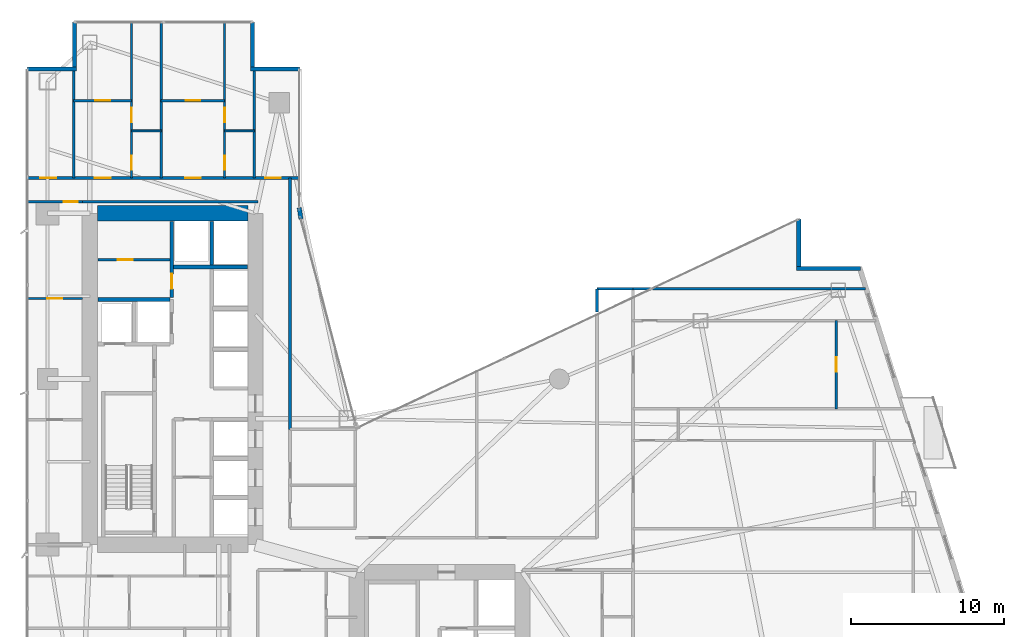
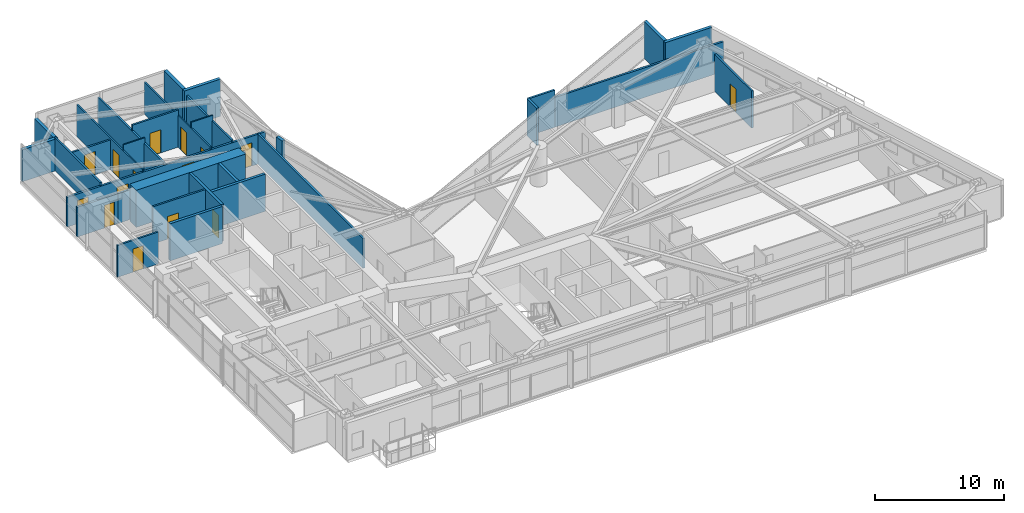
# One storey, part 24 of 28: 31 walls, 15 doors, 15 openings.
"""IFC4 building model written with IfcOpenShell, lengths in metres."""

from ifc_helpers import new_model, si_unit, direction, frame, frame_2d, origin, place, context, subcontext, project, spatial, rectangle, extrude, material, layer, layer_set, type_object, element, fill, save


model = new_model("IFC4")

# Units and contexts
model_context = context("Model", 3, precision=1e-05, world=origin(), true_north=direction((0.0, 1.0)))
body_context = subcontext(model_context, "Body", "Model", "MODEL_VIEW")
ifc_project = project(units=[si_unit("LENGTHUNIT", "METRE"), si_unit("AREAUNIT", "SQUARE_METRE"), si_unit("VOLUMEUNIT", "CUBIC_METRE"), si_unit("PLANEANGLEUNIT", "RADIAN"), si_unit("MASSUNIT", "GRAM", prefix="KILO")], contexts=[model_context])

# Site, building, storey
site_placement = place(None, origin())
site = spatial("IfcSite", under=ifc_project, at=site_placement, CompositionType="ELEMENT")
building_placement = place(site_placement, origin())
building = spatial("IfcBuilding", under=site, at=building_placement, Name="Calvorn Quay Hotel", CompositionType="ELEMENT")
storey_placement = place(building_placement, frame((0.0, 0.0, 42.199951171875)))
storey = spatial("IfcBuildingStorey", under=building, at=storey_placement, Name="L09", CompositionType="ELEMENT", Elevation=42.199951171875)

# Wall
ifc_material_1 = material(Name="Concrete C60", Category="concrete")
ifc_layer_1 = layer(ifc_material_1, 1.0)
ifc_layer_set_1 = layer_set([ifc_layer_1], Name="WL-CORE-1000")
wall_type_1 = type_object("IfcWallType", Name="WL-CORE-1000", PredefinedType="SHEAR", material=ifc_layer_set_1)
wall_1_placement = place(storey_placement, frame((4.699951171875, 38.39990234375, 0.0), z_axis=(0.0, 0.0, 1.0), x_axis=(1.0, 0.0, 0.0)))
element("IfcWall", 1, at=wall_1_placement, inside=storey, type_object=wall_type_1, Name="West Core Shear Wall N (L09)", PredefinedType="SHEAR", context=body_context, shape_type="SweptSolid", body=[
    extrude(rectangle(XDim=9.800048828125, YDim=1.0, at=frame_2d((4.89990234375, 0.0))), origin(), (0.0, 0.0, 1.0), 3.52001953125),
])

# Wall, opening, door
ifc_material_2 = material(Name="Acoustic Fireboard Steel-Stud Partition", Category="steel")
ifc_layer_2 = layer(ifc_material_2, 0.179931640625)
ifc_layer_set_2 = layer_set([ifc_layer_2], Name="WL-CORR-FIRE-180")
wall_type_2 = type_object("IfcWallType", Name="WL-CORR-FIRE-180", PredefinedType="PARTITIONING", material=ifc_layer_set_2)
wall_2_placement = place(storey_placement, frame((0.080078125, 39.14990234375, 0.0), z_axis=(0.0, 0.0, 1.0), x_axis=(1.0, 0.0, 0.0)))
wall_2 = element("IfcWall", 2, at=wall_2_placement, inside=storey, type_object=wall_type_2, Name="Partition Wall L09-WL-WBAY-N-DOOR", PredefinedType="PARTITIONING", context=body_context, shape_type="SweptSolid", body=[
    extrude(rectangle(XDim=3.64990234375, YDim=0.179931640625, at=frame_2d((1.824951171875, 0.0))), origin(), (0.0, 0.0, 1.0), 2.820068359375),
])
opening_1_placement = place(wall_2_placement, frame((2.429931640625, 0.0, 0.0)))
opening_1 = element("IfcOpeningElement", 3, at=opening_1_placement, cuts=wall_2, Name="Opening D-L09-WBN", PredefinedType="OPENING", context=body_context, shape_type="SweptSolid", body=[
    extrude(rectangle(XDim=0.89990234375, YDim=2.14990234375, at=frame_2d((0.449951171875, 1.074951171875))), frame((0.0, 0.099853515625, 0.0), z_axis=(0.0, -1.0, 0.0), x_axis=(1.0, 0.0, 0.0)), (0.0, 0.0, 1.0), 0.199951171875),
])
ifc_material_3 = material(Name="Moisture-Sealed Timber En-Suite Door", Category="wood")
door_type_1 = type_object("IfcDoorType", Name="DR-ENSUITE-900", OperationType="NOTDEFINED", PredefinedType="DOOR", material=ifc_material_3)
door_1_placement = place(opening_1_placement, origin())
door_1 = element("IfcDoor", 4, at=door_1_placement, inside=storey, type_object=door_type_1, Name="West North Bay Door (L09)", OperationType="SINGLE_SWING_LEFT", OverallHeight=2.14990234375, OverallWidth=0.89990234375, PredefinedType="DOOR", context=body_context, shape_type="SweptSolid", body=[
    extrude(rectangle(XDim=0.89990234375, YDim=2.14990234375, at=frame_2d((0.449951171875, 1.074951171875))), frame((0.0, 0.02490234375, 0.0), z_axis=(0.0, -1.0, 0.0), x_axis=(1.0, 0.0, 0.0)), (0.0, 0.0, 1.0), 0.050048828125),
])
fill(opening_1, door_1)

# Wall, openings, doors
wall_3_placement = place(storey_placement, frame((0.080078125, 40.699951171875, 0.0), z_axis=(0.0, 0.0, 1.0), x_axis=(1.0, 0.0, 0.0)))
wall_3 = element("IfcWall", 5, at=wall_3_placement, inside=storey, type_object=wall_type_2, Name="Partition Wall L09-WL-CORR-NW-N", PredefinedType="PARTITIONING", context=body_context, shape_type="SweptSolid", body=[
    extrude(rectangle(XDim=17.77001953125, YDim=0.179931640625, at=frame_2d((8.885009765625, 0.0))), origin(), (0.0, 0.0, 1.0), 2.820068359375),
])
opening_2_placement = place(wall_3_placement, frame((0.89990234375, 0.0, 0.0)))
opening_2 = element("IfcOpeningElement", 6, at=opening_2_placement, cuts=wall_3, Name="Opening D-L09-NWW", PredefinedType="OPENING", context=body_context, shape_type="SweptSolid", body=[
    extrude(rectangle(XDim=1.02001953125, YDim=2.199951171875, at=frame_2d((0.510009765625, 1.10009765625))), frame((0.0, 0.099853515625, 0.0), z_axis=(0.0, -1.0, 0.0), x_axis=(1.0, 0.0, 0.0)), (0.0, 0.0, 1.0), 0.199951171875),
])
opening_3_placement = place(wall_3_placement, frame((4.449951171875, 0.0, 0.0)))
opening_3 = element("IfcOpeningElement", 7, at=opening_3_placement, cuts=wall_3, Name="Opening D-L09-U04", PredefinedType="OPENING", context=body_context, shape_type="SweptSolid", body=[
    extrude(rectangle(XDim=1.02001953125, YDim=2.199951171875, at=frame_2d((0.510009765625, 1.10009765625))), frame((0.0, 0.099853515625, 0.0), z_axis=(0.0, -1.0, 0.0), x_axis=(1.0, 0.0, 0.0)), (0.0, 0.0, 1.0), 0.199951171875),
])
opening_4_placement = place(wall_3_placement, frame((10.330078125, 0.0, 0.0)))
opening_4 = element("IfcOpeningElement", 8, at=opening_4_placement, cuts=wall_3, Name="Opening D-L09-U05", PredefinedType="OPENING", context=body_context, shape_type="SweptSolid", body=[
    extrude(rectangle(XDim=1.02001953125, YDim=2.199951171875, at=frame_2d((0.510009765625, 1.10009765625))), frame((0.0, 0.099853515625, 0.0), z_axis=(0.0, -1.0, 0.0), x_axis=(1.0, 0.0, 0.0)), (0.0, 0.0, 1.0), 0.199951171875),
])
opening_5_placement = place(wall_3_placement, frame((15.550048828125, 0.0, 0.0)))
opening_5 = element("IfcOpeningElement", 9, at=opening_5_placement, cuts=wall_3, Name="Opening D-L09-NWE", PredefinedType="OPENING", context=body_context, shape_type="SweptSolid", body=[
    extrude(rectangle(XDim=1.02001953125, YDim=2.199951171875, at=frame_2d((0.510009765625, 1.10009765625))), frame((0.0, 0.099853515625, 0.0), z_axis=(0.0, -1.0, 0.0), x_axis=(1.0, 0.0, 0.0)), (0.0, 0.0, 1.0), 0.199951171875),
])
ifc_material_4 = material(Name="Solid-Core Walnut Veneer Hotel Fire Door")
door_type_2 = type_object("IfcDoorType", Name="DR-GUEST-ENTRY-1020", OperationType="NOTDEFINED", PredefinedType="DOOR", material=ifc_material_4)
door_2_placement = place(opening_2_placement, origin())
door_2 = element("IfcDoor", 10, at=door_2_placement, inside=storey, type_object=door_type_2, Name="West Corner Study Door (L09)", OperationType="SINGLE_SWING_LEFT", OverallHeight=2.199951171875, OverallWidth=1.02001953125, PredefinedType="DOOR", context=body_context, shape_type="SweptSolid", body=[
    extrude(rectangle(XDim=1.02001953125, YDim=2.199951171875, at=frame_2d((0.510009765625, 1.10009765625))), frame((0.0, 0.02490234375, 0.0), z_axis=(0.0, -1.0, 0.0), x_axis=(1.0, 0.0, 0.0)), (0.0, 0.0, 1.0), 0.050048828125),
])
fill(opening_2, door_2)
door_3_placement = place(opening_3_placement, origin())
door_3 = element("IfcDoor", 11, at=door_3_placement, inside=storey, type_object=door_type_2, Name="North-West Unit Door U04 (L09)", OperationType="SINGLE_SWING_RIGHT", OverallHeight=2.199951171875, OverallWidth=1.02001953125, PredefinedType="DOOR", context=body_context, shape_type="SweptSolid", body=[
    extrude(rectangle(XDim=1.02001953125, YDim=2.199951171875, at=frame_2d((0.510009765625, 1.10009765625))), frame((0.0, 0.02490234375, 0.0), z_axis=(0.0, -1.0, 0.0), x_axis=(1.0, 0.0, 0.0)), (0.0, 0.0, 1.0), 0.050048828125),
])
fill(opening_3, door_3)
door_4_placement = place(opening_4_placement, origin())
door_4 = element("IfcDoor", 12, at=door_4_placement, inside=storey, type_object=door_type_2, Name="North-West Unit Door U05 (L09)", OperationType="SINGLE_SWING_LEFT", OverallHeight=2.199951171875, OverallWidth=1.02001953125, PredefinedType="DOOR", context=body_context, shape_type="SweptSolid", body=[
    extrude(rectangle(XDim=1.02001953125, YDim=2.199951171875, at=frame_2d((0.510009765625, 1.10009765625))), frame((0.0, 0.02490234375, 0.0), z_axis=(0.0, -1.0, 0.0), x_axis=(1.0, 0.0, 0.0)), (0.0, 0.0, 1.0), 0.050048828125),
])
fill(opening_4, door_4)
door_5_placement = place(opening_5_placement, origin())
door_5 = element("IfcDoor", 13, at=door_5_placement, inside=storey, type_object=door_type_2, Name="Inner Court Study Door (L09)", OperationType="SINGLE_SWING_RIGHT", OverallHeight=2.199951171875, OverallWidth=1.02001953125, PredefinedType="DOOR", context=body_context, shape_type="SweptSolid", body=[
    extrude(rectangle(XDim=1.02001953125, YDim=2.199951171875, at=frame_2d((0.510009765625, 1.10009765625))), frame((0.0, 0.02490234375, 0.0), z_axis=(0.0, -1.0, 0.0), x_axis=(1.0, 0.0, 0.0)), (0.0, 0.0, 1.0), 0.050048828125),
])
fill(opening_5, door_5)

# Walls
wall_4_placement = place(storey_placement, frame((17.25, 24.300048828125, 0.0), z_axis=(0.0, 0.0, 1.0), x_axis=(0.0, 1.0, 0.0)))
element("IfcWall", 14, at=wall_4_placement, inside=storey, type_object=wall_type_2, Name="Partition Wall L09-WL-NW-CLOSURE-E", PredefinedType="PARTITIONING", context=body_context, shape_type="SweptSolid", body=[
    extrude(rectangle(XDim=16.39990234375, YDim=0.179931640625, at=frame_2d((8.199951171875, 0.0))), origin(), (0.0, 0.0, 1.0), 2.820068359375),
])
wall_5_placement = place(storey_placement, frame((3.679931640625, 39.14990234375, 0.0), z_axis=(0.0, 0.0, 1.0), x_axis=(1.0, 0.0, 0.0)))
element("IfcWall", 15, at=wall_5_placement, inside=storey, type_object=wall_type_2, Name="Partition Wall L09-WL-W-SPUR-S", PredefinedType="PARTITIONING", context=body_context, shape_type="SweptSolid", body=[
    extrude(rectangle(XDim=11.469970703125, YDim=0.179931640625, at=frame_2d((5.73486328125, 0.0))), origin(), (0.0, 0.0, 1.0), 2.820068359375),
])
wall_6_placement = place(storey_placement, frame((39.60009765625, 33.47998046875, 0.0), z_axis=(0.0, 0.0, 1.0), x_axis=(1.0, 0.0, 0.0)))
element("IfcWall", 16, at=wall_6_placement, inside=storey, type_object=wall_type_2, Name="Partition Wall L09-WL-TIP-N", PredefinedType="PARTITIONING", context=body_context, shape_type="SweptSolid", body=[
    extrude(rectangle(XDim=15.159912109375, YDim=0.179931640625, at=frame_2d((7.580078125, 0.0))), origin(), (0.0, 0.0, 1.0), 2.820068359375),
])
wall_7_placement = place(storey_placement, frame((37.25, 31.969970703125, 0.0), z_axis=(0.0, 0.0, 1.0), x_axis=(0.0, 1.0, 0.0)))
element("IfcWall", 17, at=wall_7_placement, inside=storey, type_object=wall_type_2, Name="Partition Wall L09-WL-CORR-TIP-NW", PredefinedType="PARTITIONING", context=body_context, shape_type="SweptSolid", body=[
    extrude(rectangle(XDim=1.510009765625, YDim=0.179931640625, at=frame_2d((0.7548828125, 0.0))), origin(), (0.0, 0.0, 1.0), 3.52001953125),
])
wall_8_placement = place(storey_placement, frame((37.25, 33.47998046875, 0.0), z_axis=(0.0, 0.0, 1.0), x_axis=(1.0, 0.0, 0.0)))
element("IfcWall", 18, at=wall_8_placement, inside=storey, type_object=wall_type_2, Name="Partition Wall L09-WL-CORR-TIP-NN", PredefinedType="PARTITIONING", context=body_context, shape_type="SweptSolid", body=[
    extrude(rectangle(XDim=2.35009765625, YDim=0.179931640625, at=frame_2d((1.175048828125, 0.0))), origin(), (0.0, 0.0, 1.0), 3.52001953125),
])
ifc_material_5 = material(Name="Moisture-Resistant Tile-Backed Partition")
ifc_layer_3 = layer(ifc_material_5, 0.125)
ifc_layer_set_3 = layer_set([ifc_layer_3], Name="WL-ENSUITE-125")
wall_type_3 = type_object("IfcWallType", Name="WL-ENSUITE-125", PredefinedType="PARTITIONING", material=ifc_layer_set_3)
wall_9_placement = place(storey_placement, frame((6.919921875, 43.77001953125, 0.0), z_axis=(0.0, 0.0, 1.0), x_axis=(1.0, 0.0, 0.0)))
element("IfcWall", 19, at=wall_9_placement, inside=storey, type_object=wall_type_3, Name="Partition Wall L09-WL-U04-BDV", PredefinedType="PARTITIONING", context=body_context, shape_type="SweptSolid", body=[
    extrude(rectangle(XDim=1.93017578125, YDim=0.125, at=frame_2d((0.965087890625, 0.0))), origin(), (0.0, 0.0, 1.0), 3.52001953125),
])

# Wall, openings, doors
wall_10_placement = place(storey_placement, frame((6.919921875, 40.699951171875, 0.0), z_axis=(0.0, 0.0, 1.0), x_axis=(0.0, 1.0, 0.0)))
wall_10 = element("IfcWall", 20, at=wall_10_placement, inside=storey, type_object=wall_type_3, Name="Partition Wall L09-WL-U04-BV", PredefinedType="PARTITIONING", context=body_context, shape_type="SweptSolid", body=[
    extrude(rectangle(XDim=10.239990234375, YDim=0.125, at=frame_2d((5.1201171875, 0.0))), origin(), (0.0, 0.0, 1.0), 3.02001953125),
])
opening_6_placement = place(wall_10_placement, frame((0.550048828125, 0.0, 0.0)))
opening_6 = element("IfcOpeningElement", 21, at=opening_6_placement, cuts=wall_10, Name="Opening D-L09-E04", PredefinedType="OPENING", context=body_context, shape_type="SweptSolid", body=[
    extrude(rectangle(XDim=0.89990234375, YDim=2.14990234375, at=frame_2d((0.449951171875, 1.074951171875))), frame((0.0, 0.072509765625, 0.0), z_axis=(0.0, -1.0, 0.0), x_axis=(1.0, 0.0, 0.0)), (0.0, 0.0, 1.0), 0.14501953125),
])
opening_7_placement = place(wall_10_placement, frame((3.6201171875, 0.0, 0.0)))
opening_7 = element("IfcOpeningElement", 22, at=opening_7_placement, cuts=wall_10, Name="Opening D-L09-S04", PredefinedType="OPENING", context=body_context, shape_type="SweptSolid", body=[
    extrude(rectangle(XDim=0.9599609375, YDim=2.199951171875, at=frame_2d((0.47998046875, 1.10009765625))), frame((0.0, 0.072509765625, 0.0), z_axis=(0.0, -1.0, 0.0), x_axis=(1.0, 0.0, 0.0)), (0.0, 0.0, 1.0), 0.14501953125),
])
door_6_placement = place(opening_6_placement, origin())
door_6 = element("IfcDoor", 23, at=door_6_placement, inside=storey, type_object=door_type_1, Name="En-Suite Door 04", OperationType="SINGLE_SWING_LEFT", OverallHeight=2.14990234375, OverallWidth=0.89990234375, PredefinedType="DOOR", context=body_context, shape_type="SweptSolid", body=[
    extrude(rectangle(XDim=0.89990234375, YDim=2.14990234375, at=frame_2d((0.449951171875, 1.074951171875))), frame((0.0, 0.02490234375, 0.0), z_axis=(0.0, -1.0, 0.0), x_axis=(1.0, 0.0, 0.0)), (0.0, 0.0, 1.0), 0.050048828125),
])
fill(opening_6, door_6)
ifc_material_6 = material(Name="Solid Timber Internal Suite Door", Category="wood")
door_type_3 = type_object("IfcDoorType", Name="DR-SUITE-INT-960", OperationType="NOTDEFINED", PredefinedType="DOOR", material=ifc_material_6)
door_7_placement = place(opening_7_placement, origin())
door_7 = element("IfcDoor", 24, at=door_7_placement, inside=storey, type_object=door_type_3, Name="Walk-In Wardrobe Door 04", OperationType="SINGLE_SWING_RIGHT", OverallHeight=2.199951171875, OverallWidth=0.9599609375, PredefinedType="DOOR", context=body_context, shape_type="SweptSolid", body=[
    extrude(rectangle(XDim=0.9599609375, YDim=2.199951171875, at=frame_2d((0.47998046875, 1.10009765625))), frame((0.0, 0.02490234375, 0.0), z_axis=(0.0, -1.0, 0.0), x_axis=(1.0, 0.0, 0.0)), (0.0, 0.0, 1.0), 0.050048828125),
])
fill(opening_7, door_7)

# Wall
wall_11_placement = place(storey_placement, frame((12.989990234375, 43.77001953125, 0.0), z_axis=(0.0, 0.0, 1.0), x_axis=(1.0, 0.0, 0.0)))
element("IfcWall", 25, at=wall_11_placement, inside=storey, type_object=wall_type_3, Name="Partition Wall L09-WL-U05-BDV", PredefinedType="PARTITIONING", context=body_context, shape_type="SweptSolid", body=[
    extrude(rectangle(XDim=1.929931640625, YDim=0.125, at=frame_2d((0.96484375, 0.0))), origin(), (0.0, 0.0, 1.0), 3.52001953125),
])

# Wall, openings, doors
wall_12_placement = place(storey_placement, frame((12.989990234375, 40.699951171875, 0.0), z_axis=(0.0, 0.0, 1.0), x_axis=(0.0, 1.0, 0.0)))
wall_12 = element("IfcWall", 26, at=wall_12_placement, inside=storey, type_object=wall_type_3, Name="Partition Wall L09-WL-U05-BV", PredefinedType="PARTITIONING", context=body_context, shape_type="SweptSolid", body=[
    extrude(rectangle(XDim=10.239990234375, YDim=0.125, at=frame_2d((5.1201171875, 0.0))), origin(), (0.0, 0.0, 1.0), 3.02001953125),
])
opening_8_placement = place(wall_12_placement, frame((0.550048828125, 0.0, 0.0)))
opening_8 = element("IfcOpeningElement", 27, at=opening_8_placement, cuts=wall_12, Name="Opening D-L09-E05", PredefinedType="OPENING", context=body_context, shape_type="SweptSolid", body=[
    extrude(rectangle(XDim=0.89990234375, YDim=2.14990234375, at=frame_2d((0.449951171875, 1.074951171875))), frame((0.0, 0.072509765625, 0.0), z_axis=(0.0, -1.0, 0.0), x_axis=(1.0, 0.0, 0.0)), (0.0, 0.0, 1.0), 0.14501953125),
])
opening_9_placement = place(wall_12_placement, frame((3.6201171875, 0.0, 0.0)))
opening_9 = element("IfcOpeningElement", 28, at=opening_9_placement, cuts=wall_12, Name="Opening D-L09-S05", PredefinedType="OPENING", context=body_context, shape_type="SweptSolid", body=[
    extrude(rectangle(XDim=0.9599609375, YDim=2.199951171875, at=frame_2d((0.47998046875, 1.10009765625))), frame((0.0, 0.072509765625, 0.0), z_axis=(0.0, -1.0, 0.0), x_axis=(1.0, 0.0, 0.0)), (0.0, 0.0, 1.0), 0.14501953125),
])
door_8_placement = place(opening_8_placement, origin())
door_8 = element("IfcDoor", 29, at=door_8_placement, inside=storey, type_object=door_type_1, Name="En-Suite Door 05", OperationType="SINGLE_SWING_LEFT", OverallHeight=2.14990234375, OverallWidth=0.89990234375, PredefinedType="DOOR", context=body_context, shape_type="SweptSolid", body=[
    extrude(rectangle(XDim=0.89990234375, YDim=2.14990234375, at=frame_2d((0.449951171875, 1.074951171875))), frame((0.0, 0.02490234375, 0.0), z_axis=(0.0, -1.0, 0.0), x_axis=(1.0, 0.0, 0.0)), (0.0, 0.0, 1.0), 0.050048828125),
])
fill(opening_8, door_8)
door_9_placement = place(opening_9_placement, origin())
door_9 = element("IfcDoor", 30, at=door_9_placement, inside=storey, type_object=door_type_3, Name="Walk-In Wardrobe Door 05", OperationType="SINGLE_SWING_RIGHT", OverallHeight=2.199951171875, OverallWidth=0.9599609375, PredefinedType="DOOR", context=body_context, shape_type="SweptSolid", body=[
    extrude(rectangle(XDim=0.9599609375, YDim=2.199951171875, at=frame_2d((0.47998046875, 1.10009765625))), frame((0.0, 0.02490234375, 0.0), z_axis=(0.0, -1.0, 0.0), x_axis=(1.0, 0.0, 0.0)), (0.0, 0.0, 1.0), 0.050048828125),
])
fill(opening_9, door_9)

# Walls
ifc_material_7 = material(Name="Concrete C40", Category="concrete")
ifc_layer_4 = layer(ifc_material_7, 0.320068359375)
ifc_layer_set_4 = layer_set([ifc_layer_4], Name="WL-EXT-SPANDREL-320")
wall_type_4 = type_object("IfcWallType", Name="WL-EXT-SPANDREL-320", PredefinedType="SOLIDWALL", material=ifc_layer_set_4)
wall_13_placement = place(storey_placement, frame((17.9619140625, 38.030029296875, 0.0), z_axis=(0.0, 0.0, 1.0), x_axis=(-0.15141125477, 0.988470855377, 0.0)))
element("IfcWall", 31, at=wall_13_placement, inside=storey, type_object=wall_type_4, Name="Inner Court Corner Pier L09-ICJ2", PredefinedType="SOLIDWALL", context=body_context, shape_type="SweptSolid", body=[
    extrude(rectangle(XDim=0.738525390625, YDim=0.280029296875, at=frame_2d((0.369140625, 0.0))), origin(), (0.0, 0.0, 1.0), 3.52001953125),
])
wall_14_placement = place(storey_placement, frame((54.43994140625, 34.800048828125, 0.0), z_axis=(0.0, 0.0, 1.0), x_axis=(-1.0, 0.0, 0.0)))
element("IfcWall", 32, at=wall_14_placement, inside=storey, type_object=wall_type_4, Name="Notched Corner Spandrel L09-NE1", PredefinedType="SOLIDWALL", context=body_context, shape_type="SweptSolid", body=[
    extrude(rectangle(XDim=4.179931640625, YDim=0.280029296875, at=frame_2d((2.08984375, 0.0))), origin(), (0.0, 0.0, 1.0), 3.52001953125),
])
wall_15_placement = place(storey_placement, frame((50.39990234375, 34.93994140625, 0.0), z_axis=(0.0, 0.0, 1.0), x_axis=(0.0, 1.0, 0.0)))
element("IfcWall", 33, at=wall_15_placement, inside=storey, type_object=wall_type_4, Name="Notched Corner Spandrel L09-NE2", PredefinedType="SOLIDWALL", context=body_context, shape_type="SweptSolid", body=[
    extrude(rectangle(XDim=3.10009765625, YDim=0.280029296875, at=frame_2d((1.550048828125, 0.0))), origin(), (0.0, 0.0, 1.0), 3.52001953125),
])
wall_16_placement = place(storey_placement, frame((17.89990234375, 47.800048828125, 0.0), z_axis=(0.0, 0.0, 1.0), x_axis=(-1.0, 0.0, 0.0)))
element("IfcWall", 34, at=wall_16_placement, inside=storey, type_object=wall_type_4, Name="Notched Corner Spandrel L09-NWE1", PredefinedType="SOLIDWALL", context=body_context, shape_type="SweptSolid", body=[
    extrude(rectangle(XDim=3.239990234375, YDim=0.280029296875, at=frame_2d((1.6201171875, 0.0))), origin(), (0.0, 0.0, 1.0), 3.52001953125),
])
wall_17_placement = place(storey_placement, frame((14.800048828125, 47.93994140625, 0.0), z_axis=(0.0, 0.0, 1.0), x_axis=(0.0, 1.0, 0.0)))
element("IfcWall", 35, at=wall_17_placement, inside=storey, type_object=wall_type_4, Name="Notched Corner Spandrel L09-NWE2", PredefinedType="SOLIDWALL", context=body_context, shape_type="SweptSolid", body=[
    extrude(rectangle(XDim=2.93994140625, YDim=0.280029296875, at=frame_2d((1.469970703125, 0.0))), origin(), (0.0, 0.0, 1.0), 3.52001953125),
])
wall_18_placement = place(storey_placement, frame((3.199951171875, 50.8798828125, 0.0), z_axis=(0.0, 0.0, 1.0), x_axis=(0.0, -1.0, 0.0)))
element("IfcWall", 36, at=wall_18_placement, inside=storey, type_object=wall_type_4, Name="Notched Corner Spandrel L09-NW1", PredefinedType="SOLIDWALL", context=body_context, shape_type="SweptSolid", body=[
    extrude(rectangle(XDim=2.93994140625, YDim=0.280029296875, at=frame_2d((1.469970703125, 0.0))), origin(), (0.0, 0.0, 1.0), 3.02001953125),
])
wall_19_placement = place(storey_placement, frame((3.340087890625, 47.800048828125, 0.0), z_axis=(0.0, 0.0, 1.0), x_axis=(-1.0, 0.0, 0.0)))
element("IfcWall", 37, at=wall_19_placement, inside=storey, type_object=wall_type_4, Name="Notched Corner Spandrel L09-NW2", PredefinedType="SOLIDWALL", context=body_context, shape_type="SweptSolid", body=[
    extrude(rectangle(XDim=3.219970703125, YDim=0.280029296875, at=frame_2d((1.60986328125, 0.0))), origin(), (0.0, 0.0, 1.0), 3.02001953125),
])

# Wall, opening, door
ifc_material_8 = material(Name="Double-Stud Acoustic Gypsum Partition")
ifc_layer_5 = layer(ifc_material_8, 0.159912109375)
ifc_layer_set_5 = layer_set([ifc_layer_5], Name="WL-INTERSUITE-160")
wall_type_5 = type_object("IfcWallType", Name="WL-INTERSUITE-160", PredefinedType="PARTITIONING", material=ifc_layer_set_5)
wall_20_placement = place(storey_placement, frame((4.719970703125, 35.3798828125, 0.0), z_axis=(0.0, 0.0, 1.0), x_axis=(1.0, 0.0, 0.0)))
wall_20 = element("IfcWall", 38, at=wall_20_placement, inside=storey, type_object=wall_type_5, Name="Partition Wall L09-WL-CWW-K-MID", PredefinedType="PARTITIONING", context=body_context, shape_type="SweptSolid", body=[
    extrude(rectangle(XDim=4.699951171875, YDim=0.159912109375, at=frame_2d((2.35009765625, 0.0))), origin(), (0.0, 0.0, 1.0), 3.52001953125),
])
opening_10_placement = place(wall_20_placement, frame((1.300048828125, 0.0, 0.0)))
opening_10 = element("IfcOpeningElement", 39, at=opening_10_placement, cuts=wall_20, Name="Opening D-L09-CK2", PredefinedType="OPENING", context=body_context, shape_type="SweptSolid", body=[
    extrude(rectangle(XDim=0.97998046875, YDim=2.14990234375, at=frame_2d((0.489990234375, 1.074951171875))), frame((0.0, 0.08984375, 0.0), z_axis=(0.0, -1.0, 0.0), x_axis=(1.0, 0.0, 0.0)), (0.0, 0.0, 1.0), 0.179931640625),
])
ifc_material_9 = material(Name="Painted Steel Housekeeping/Riser Fire Door", Category="steel")
door_type_4 = type_object("IfcDoorType", Name="DR-SERVICE-980", OperationType="NOTDEFINED", PredefinedType="DOOR", material=ifc_material_9)
door_10_placement = place(opening_10_placement, origin())
door_10 = element("IfcDoor", 40, at=door_10_placement, inside=storey, type_object=door_type_4, Name="Electrical Riser Door (L09)", OperationType="SINGLE_SWING_RIGHT", OverallHeight=2.14990234375, OverallWidth=0.97998046875, PredefinedType="DOOR", context=body_context, shape_type="SweptSolid", body=[
    extrude(rectangle(XDim=0.97998046875, YDim=2.14990234375, at=frame_2d((0.489990234375, 1.074951171875))), frame((0.0, 0.02490234375, 0.0), z_axis=(0.0, -1.0, 0.0), x_axis=(1.0, 0.0, 0.0)), (0.0, 0.0, 1.0), 0.050048828125),
])
fill(opening_10, door_10)

wall_21_placement = place(storey_placement, frame((0.080078125, 32.85009765625, 0.0), z_axis=(0.0, 0.0, 1.0), x_axis=(1.0, 0.0, 0.0)))
wall_21 = element("IfcWall", 41, at=wall_21_placement, inside=storey, type_object=wall_type_5, Name="Partition Wall L09-WL-WBAY-DIVB", PredefinedType="PARTITIONING", context=body_context, shape_type="SweptSolid", body=[
    extrude(rectangle(XDim=3.64990234375, YDim=0.159912109375, at=frame_2d((1.824951171875, 0.0))), origin(), (0.0, 0.0, 1.0), 3.02001953125),
])
opening_11_placement = place(wall_21_placement, frame((1.35009765625, 0.0, 0.0)))
opening_11 = element("IfcOpeningElement", 42, at=opening_11_placement, cuts=wall_21, Name="Opening D-L09-WBB", PredefinedType="OPENING", context=body_context, shape_type="SweptSolid", body=[
    extrude(rectangle(XDim=0.9599609375, YDim=2.199951171875, at=frame_2d((0.47998046875, 1.10009765625))), frame((0.0, 0.08984375, 0.0), z_axis=(0.0, -1.0, 0.0), x_axis=(1.0, 0.0, 0.0)), (0.0, 0.0, 1.0), 0.179931640625),
])
door_11_placement = place(opening_11_placement, origin())
door_11 = element("IfcDoor", 43, at=door_11_placement, inside=storey, type_object=door_type_3, Name="West North Connecting Door (L09)", OperationType="SINGLE_SWING_RIGHT", OverallHeight=2.199951171875, OverallWidth=0.9599609375, PredefinedType="DOOR", context=body_context, shape_type="SweptSolid", body=[
    extrude(rectangle(XDim=0.9599609375, YDim=2.199951171875, at=frame_2d((0.47998046875, 1.10009765625))), frame((0.0, 0.02490234375, 0.0), z_axis=(0.0, -1.0, 0.0), x_axis=(1.0, 0.0, 0.0)), (0.0, 0.0, 1.0), 0.050048828125),
])
fill(opening_11, door_11)

# Walls
wall_22_placement = place(storey_placement, frame((3.14990234375, 40.699951171875, 0.0), z_axis=(0.0, 0.0, 1.0), x_axis=(0.0, 1.0, 0.0)))
element("IfcWall", 44, at=wall_22_placement, inside=storey, type_object=wall_type_5, Name="Partition Wall L09-WL-NW-DIV-W0", PredefinedType="PARTITIONING", context=body_context, shape_type="SweptSolid", body=[
    extrude(rectangle(XDim=7.10009765625, YDim=0.159912109375, at=frame_2d((3.550048828125, 0.0))), origin(), (0.0, 0.0, 1.0), 3.1201171875),
])
wall_23_placement = place(storey_placement, frame((14.919921875, 40.699951171875, 0.0), z_axis=(0.0, 0.0, 1.0), x_axis=(0.0, 1.0, 0.0)))
element("IfcWall", 45, at=wall_23_placement, inside=storey, type_object=wall_type_5, Name="Partition Wall L09-WL-NW-DIV-E0", PredefinedType="PARTITIONING", context=body_context, shape_type="SweptSolid", body=[
    extrude(rectangle(XDim=7.10009765625, YDim=0.159912109375, at=frame_2d((3.550048828125, 0.0))), origin(), (0.0, 0.0, 1.0), 3.02001953125),
])

# Wall, opening, door
wall_24_placement = place(storey_placement, frame((3.14990234375, 45.75, 0.0), z_axis=(0.0, 0.0, 1.0), x_axis=(1.0, 0.0, 0.0)))
wall_24 = element("IfcWall", 46, at=wall_24_placement, inside=storey, type_object=wall_type_5, Name="Partition Wall L09-WL-U04-MSP", PredefinedType="PARTITIONING", context=body_context, shape_type="SweptSolid", body=[
    extrude(rectangle(XDim=3.77001953125, YDim=0.159912109375, at=frame_2d((1.885009765625, 0.0))), origin(), (0.0, 0.0, 1.0), 2.820068359375),
])
opening_12_placement = place(wall_24_placement, frame((1.409912109375, 0.0, 0.0)))
opening_12 = element("IfcOpeningElement", 47, at=opening_12_placement, cuts=wall_24, Name="Opening D-L09-M04", PredefinedType="OPENING", context=body_context, shape_type="SweptSolid", body=[
    extrude(rectangle(XDim=0.9599609375, YDim=2.199951171875, at=frame_2d((0.47998046875, 1.10009765625))), frame((0.0, 0.08984375, 0.0), z_axis=(0.0, -1.0, 0.0), x_axis=(1.0, 0.0, 0.0)), (0.0, 0.0, 1.0), 0.179931640625),
])
door_12_placement = place(opening_12_placement, origin())
door_12 = element("IfcDoor", 48, at=door_12_placement, inside=storey, type_object=door_type_3, Name="Suite Bedroom Door 04", OperationType="SINGLE_SWING_LEFT", OverallHeight=2.199951171875, OverallWidth=0.9599609375, PredefinedType="DOOR", context=body_context, shape_type="SweptSolid", body=[
    extrude(rectangle(XDim=0.9599609375, YDim=2.199951171875, at=frame_2d((0.47998046875, 1.10009765625))), frame((0.0, 0.02490234375, 0.0), z_axis=(0.0, -1.0, 0.0), x_axis=(1.0, 0.0, 0.0)), (0.0, 0.0, 1.0), 0.050048828125),
])
fill(opening_12, door_12)

wall_25_placement = place(storey_placement, frame((8.85009765625, 45.75, 0.0), z_axis=(0.0, 0.0, 1.0), x_axis=(1.0, 0.0, 0.0)))
wall_25 = element("IfcWall", 49, at=wall_25_placement, inside=storey, type_object=wall_type_5, Name="Partition Wall L09-WL-U05-MSP", PredefinedType="PARTITIONING", context=body_context, shape_type="SweptSolid", body=[
    extrude(rectangle(XDim=4.139892578125, YDim=0.159912109375, at=frame_2d((2.06982421875, 0.0))), origin(), (0.0, 0.0, 1.0), 3.52001953125),
])
opening_13_placement = place(wall_25_placement, frame((1.590087890625, 0.0, 0.0)))
opening_13 = element("IfcOpeningElement", 50, at=opening_13_placement, cuts=wall_25, Name="Opening D-L09-M05", PredefinedType="OPENING", context=body_context, shape_type="SweptSolid", body=[
    extrude(rectangle(XDim=0.9599609375, YDim=2.199951171875, at=frame_2d((0.47998046875, 1.10009765625))), frame((0.0, 0.08984375, 0.0), z_axis=(0.0, -1.0, 0.0), x_axis=(1.0, 0.0, 0.0)), (0.0, 0.0, 1.0), 0.179931640625),
])
door_13_placement = place(opening_13_placement, origin())
door_13 = element("IfcDoor", 51, at=door_13_placement, inside=storey, type_object=door_type_3, Name="Suite Bedroom Door 05", OperationType="SINGLE_SWING_LEFT", OverallHeight=2.199951171875, OverallWidth=0.9599609375, PredefinedType="DOOR", context=body_context, shape_type="SweptSolid", body=[
    extrude(rectangle(XDim=0.9599609375, YDim=2.199951171875, at=frame_2d((0.47998046875, 1.10009765625))), frame((0.0, 0.02490234375, 0.0), z_axis=(0.0, -1.0, 0.0), x_axis=(1.0, 0.0, 0.0)), (0.0, 0.0, 1.0), 0.050048828125),
])
fill(opening_13, door_13)

# Wall
wall_26_placement = place(storey_placement, frame((8.85009765625, 40.699951171875, 0.0), z_axis=(0.0, 0.0, 1.0), x_axis=(0.0, 1.0, 0.0)))
element("IfcWall", 52, at=wall_26_placement, inside=storey, type_object=wall_type_5, Name="Partition Wall L09-WL-NW-DIV-1", PredefinedType="PARTITIONING", context=body_context, shape_type="SweptSolid", body=[
    extrude(rectangle(XDim=10.239990234375, YDim=0.159912109375, at=frame_2d((5.1201171875, 0.0))), origin(), (0.0, 0.0, 1.0), 3.02001953125),
])

# Wall, opening, door
wall_27_placement = place(storey_placement, frame((52.85009765625, 25.659912109375, 0.0), z_axis=(0.0, 0.0, 1.0), x_axis=(0.0, 1.0, 0.0)))
wall_27 = element("IfcWall", 53, at=wall_27_placement, inside=storey, type_object=wall_type_5, Name="Partition Wall L09-WL-U09-MSP", PredefinedType="PARTITIONING", context=body_context, shape_type="SweptSolid", body=[
    extrude(rectangle(XDim=5.75, YDim=0.159912109375, at=frame_2d((2.875, 0.0))), origin(), (0.0, 0.0, 1.0), 3.52001953125),
])
opening_14_placement = place(wall_27_placement, frame((2.39990234375, 0.0, 0.0)))
opening_14 = element("IfcOpeningElement", 54, at=opening_14_placement, cuts=wall_27, Name="Opening D-L09-M09", PredefinedType="OPENING", context=body_context, shape_type="SweptSolid", body=[
    extrude(rectangle(XDim=0.9599609375, YDim=2.199951171875, at=frame_2d((0.47998046875, 1.10009765625))), frame((0.0, 0.08984375, 0.0), z_axis=(0.0, -1.0, 0.0), x_axis=(1.0, 0.0, 0.0)), (0.0, 0.0, 1.0), 0.179931640625),
])
door_14_placement = place(opening_14_placement, origin())
door_14 = element("IfcDoor", 55, at=door_14_placement, inside=storey, type_object=door_type_3, Name="Suite Bedroom Door 09", OperationType="SINGLE_SWING_LEFT", OverallHeight=2.199951171875, OverallWidth=0.9599609375, PredefinedType="DOOR", context=body_context, shape_type="SweptSolid", body=[
    extrude(rectangle(XDim=0.9599609375, YDim=2.199951171875, at=frame_2d((0.47998046875, 1.10009765625))), frame((0.0, 0.02490234375, 0.0), z_axis=(0.0, -1.0, 0.0), x_axis=(1.0, 0.0, 0.0)), (0.0, 0.0, 1.0), 0.050048828125),
])
fill(opening_14, door_14)

ifc_material_10 = material(Name="Autoclaved Aerated Masonry Block", Category="masonry")
ifc_layer_6 = layer(ifc_material_10, 0.219970703125)
ifc_layer_set_6 = layer_set([ifc_layer_6], Name="WL-LOBBY-FIRE-220")
wall_type_6 = type_object("IfcWallType", Name="WL-LOBBY-FIRE-220", PredefinedType="SOLIDWALL", material=ifc_layer_set_6)
wall_28_placement = place(storey_placement, frame((9.5400390625, 32.919921875, 0.0), z_axis=(0.0, 0.0, 1.0), x_axis=(0.0, 1.0, 0.0)))
wall_28 = element("IfcWall", 56, at=wall_28_placement, inside=storey, type_object=wall_type_6, Name="Partition Wall L09-WL-CWW-K-E", PredefinedType="SOLIDWALL", context=body_context, shape_type="SweptSolid", body=[
    extrude(rectangle(XDim=4.9599609375, YDim=0.219970703125, at=frame_2d((2.47998046875, 0.0))), origin(), (0.0, 0.0, 1.0), 3.52001953125),
])
opening_15_placement = place(wall_28_placement, frame((0.550048828125, 0.0, 0.0)))
opening_15 = element("IfcOpeningElement", 57, at=opening_15_placement, cuts=wall_28, Name="Opening D-L09-CK1", PredefinedType="OPENING", context=body_context, shape_type="SweptSolid", body=[
    extrude(rectangle(XDim=0.97998046875, YDim=2.14990234375, at=frame_2d((0.489990234375, 1.074951171875))), frame((0.0, 0.119873046875, 0.0), z_axis=(0.0, -1.0, 0.0), x_axis=(1.0, 0.0, 0.0)), (0.0, 0.0, 1.0), 0.239990234375),
])
door_15_placement = place(opening_15_placement, origin())
door_15 = element("IfcDoor", 58, at=door_15_placement, inside=storey, type_object=door_type_4, Name="Core Housekeeping Door (L09)", OperationType="SINGLE_SWING_LEFT", OverallHeight=2.14990234375, OverallWidth=0.97998046875, PredefinedType="DOOR", context=body_context, shape_type="SweptSolid", body=[
    extrude(rectangle(XDim=0.97998046875, YDim=2.14990234375, at=frame_2d((0.489990234375, 1.074951171875))), frame((0.0, 0.02490234375, 0.0), z_axis=(0.0, -1.0, 0.0), x_axis=(1.0, 0.0, 0.0)), (0.0, 0.0, 1.0), 0.050048828125),
])
fill(opening_15, door_15)

# Walls
ifc_material_11 = material(Name="Concrete C40", Category="concrete")
ifc_layer_7 = layer(ifc_material_11, 0.239990234375)
ifc_layer_set_7 = layer_set([ifc_layer_7], Name="WL-SHAFT-240")
wall_type_7 = type_object("IfcWallType", Name="WL-SHAFT-240", PredefinedType="SOLIDWALL", material=ifc_layer_set_7)
wall_29_placement = place(storey_placement, frame((4.719970703125, 32.780029296875, 0.0), z_axis=(0.0, 0.0, 1.0), x_axis=(1.0, 0.0, 0.0)))
element("IfcWall", 59, at=wall_29_placement, inside=storey, type_object=wall_type_7, Name="Partition Wall L09-WL-CWW-SLW-N", PredefinedType="SOLIDWALL", context=body_context, shape_type="SweptSolid", body=[
    extrude(rectangle(XDim=4.699951171875, YDim=0.239990234375, at=frame_2d((2.35009765625, 0.0))), origin(), (0.0, 0.0, 1.0), 3.52001953125),
])
wall_30_placement = place(storey_placement, frame((9.659912109375, 34.89990234375, 0.0), z_axis=(0.0, 0.0, 1.0), x_axis=(1.0, 0.0, 0.0)))
element("IfcWall", 60, at=wall_30_placement, inside=storey, type_object=wall_type_7, Name="Partition Wall L09-WL-CWW-PLH-S", PredefinedType="SOLIDWALL", context=body_context, shape_type="SweptSolid", body=[
    extrude(rectangle(XDim=4.820068359375, YDim=0.239990234375, at=frame_2d((2.41015625, 0.0))), origin(), (0.0, 0.0, 1.0), 3.52001953125),
])
wall_31_placement = place(storey_placement, frame((12.14990234375, 35.02001953125, 0.0), z_axis=(0.0, 0.0, 1.0), x_axis=(0.0, 1.0, 0.0)))
element("IfcWall", 61, at=wall_31_placement, inside=storey, type_object=wall_type_7, Name="Partition Wall L09-WL-CWW-PLH-DIV", PredefinedType="SOLIDWALL", context=body_context, shape_type="SweptSolid", body=[
    extrude(rectangle(XDim=2.85986328125, YDim=0.239990234375, at=frame_2d((1.429931640625, 0.0))), origin(), (0.0, 0.0, 1.0), 3.52001953125),
])

save(model, "model.ifc")
